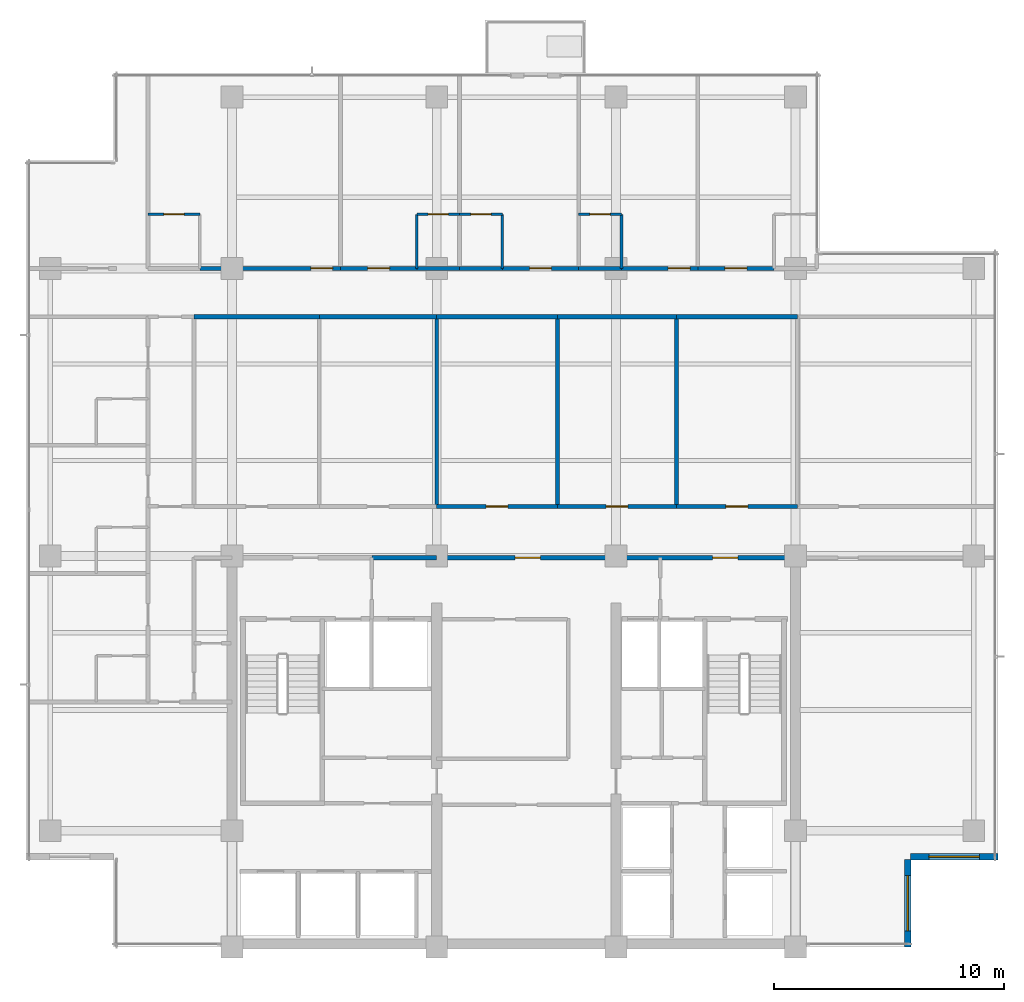
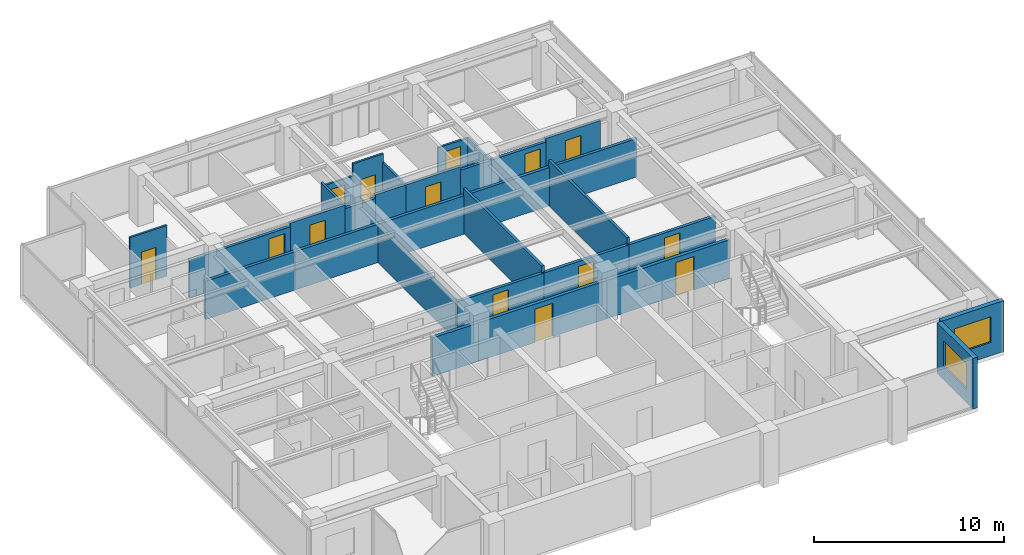
# One storey, part 9 of 15: 31 walls, 14 doors, 2 windows, 16 openings.
"""IFC4 building model written with IfcOpenShell, lengths in metres."""

from ifc_helpers import new_model, si_unit, direction, frame, frame_2d, origin, place, context, subcontext, project, spatial, rectangle, extrude, material, layer, layer_set, type_object, element, fill, save


model = new_model("IFC4")

# Units and contexts
model_context = context("Model", 3, precision=1e-05, world=origin(), true_north=direction((0.0, 1.0)))
body_context = subcontext(model_context, "Body", "Model", "MODEL_VIEW")
ifc_project = project(units=[si_unit("LENGTHUNIT", "METRE"), si_unit("AREAUNIT", "SQUARE_METRE"), si_unit("VOLUMEUNIT", "CUBIC_METRE"), si_unit("PLANEANGLEUNIT", "RADIAN"), si_unit("MASSUNIT", "GRAM", prefix="KILO")], contexts=[model_context])

# Site, building, storey
site_placement = place(None, origin())
site = spatial("IfcSite", under=ifc_project, at=site_placement, CompositionType="ELEMENT")
building_placement = place(site_placement, origin())
building = spatial("IfcBuilding", under=site, at=building_placement, Name="Qalmaran Belvedere Hotel", CompositionType="ELEMENT")
storey_placement = place(building_placement, frame((0.0, 0.0, 203.89990234375)))
storey = spatial("IfcBuildingStorey", under=building, at=storey_placement, Name="L51", CompositionType="ELEMENT", Elevation=203.89990234375)

# Wall, opening, window
ifc_material_1 = material(Name="Anodised Bronze Cladding")
ifc_layer_1 = layer(ifc_material_1, 0.280029296875, Name="Anodised Bronze Cladding")
ifc_layer_set_1 = layer_set([ifc_layer_1], Name="Anodised Bronze Cladding")
wall_type_1 = type_object("IfcWallType", Name="WL-EXT-BRNZ-280", PredefinedType="SOLIDWALL", material=ifc_layer_set_1)
wall_1_placement = place(storey_placement, frame((49.679931640625, 3.5, 0.0), z_axis=(0.0, 0.0, 1.0), x_axis=(0.0, 1.0, 0.0)))
wall_1 = element("IfcWall", 1, at=wall_1_placement, inside=storey, type_object=wall_type_1, Name="L51 Corner Notch Wall 1", PredefinedType="SOLIDWALL", context=body_context, shape_type="SweptSolid", body=[
    extrude(rectangle(XDim=3.800048828125, YDim=0.280029296875, at=frame_2d((1.89990234375, 0.0))), origin(), (0.0, 0.0, 1.0), 3.260009765625),
])
opening_1_placement = place(wall_1_placement, frame((0.699951171875, 0.0, 0.85009765625)))
opening_1 = element("IfcOpeningElement", 2, at=opening_1_placement, cuts=wall_1, Name="Opening W-N24", PredefinedType="OPENING", context=body_context, shape_type="SweptSolid", body=[
    extrude(rectangle(XDim=2.39990234375, YDim=1.64990234375, at=frame_2d((1.199951171875, 0.824951171875))), frame((0.0, 0.14990234375, 0.0), z_axis=(0.0, -1.0, 0.0), x_axis=(1.0, 0.0, 0.0)), (0.0, 0.0, 1.0), 0.300048828125),
])
ifc_material_2 = material(Name="Solar-Control Double Glazing", Category="glass")
window_type_1 = type_object("IfcWindowType", Name="WN-NTC-2400X1650", PartitioningType="SINGLE_PANEL", PredefinedType="WINDOW", material=ifc_material_2)
window_1_placement = place(opening_1_placement, origin())
window_1 = element("IfcWindow", 3, at=window_1_placement, inside=storey, type_object=window_type_1, Name="L51 Corner Notch Window 1", OverallHeight=1.64990234375, OverallWidth=2.39990234375, PartitioningType="SINGLE_PANEL", PredefinedType="WINDOW", context=body_context, shape_type="SweptSolid", body=[
    extrude(rectangle(XDim=2.39990234375, YDim=1.64990234375, at=frame_2d((1.199951171875, 0.824951171875))), frame((0.0, 0.030029296875, 0.0), z_axis=(0.0, -1.0, 0.0), x_axis=(1.0, 0.0, 0.0)), (0.0, 0.0, 1.0), 0.06005859375),
])
fill(opening_1, window_1)

wall_2_placement = place(storey_placement, frame((49.800048828125, 7.419921875, 0.0), z_axis=(0.0, 0.0, 1.0), x_axis=(1.0, 0.0, 0.0)))
wall_2 = element("IfcWall", 4, at=wall_2_placement, inside=storey, type_object=wall_type_1, Name="L51 Corner Notch Wall 2", PredefinedType="SOLIDWALL", context=body_context, shape_type="SweptSolid", body=[
    extrude(rectangle(XDim=3.800048828125, YDim=0.280029296875, at=frame_2d((1.89990234375, 0.0))), origin(), (0.0, 0.0, 1.0), 3.260009765625),
])
opening_2_placement = place(wall_2_placement, frame((0.800048828125, 0.0, 0.85009765625)))
opening_2 = element("IfcOpeningElement", 5, at=opening_2_placement, cuts=wall_2, Name="Opening W-N22", PredefinedType="OPENING", context=body_context, shape_type="SweptSolid", body=[
    extrude(rectangle(XDim=2.199951171875, YDim=1.64990234375, at=frame_2d((1.10009765625, 0.824951171875))), frame((0.0, 0.14990234375, 0.0), z_axis=(0.0, -1.0, 0.0), x_axis=(1.0, 0.0, 0.0)), (0.0, 0.0, 1.0), 0.300048828125),
])
window_type_2 = type_object("IfcWindowType", Name="WN-NTC-2200X1650", PartitioningType="SINGLE_PANEL", PredefinedType="WINDOW", material=ifc_material_2)
window_2_placement = place(opening_2_placement, origin())
window_2 = element("IfcWindow", 6, at=window_2_placement, inside=storey, type_object=window_type_2, Name="L51 Corner Notch Window 2", OverallHeight=1.64990234375, OverallWidth=2.199951171875, PartitioningType="SINGLE_PANEL", PredefinedType="WINDOW", context=body_context, shape_type="SweptSolid", body=[
    extrude(rectangle(XDim=2.199951171875, YDim=1.64990234375, at=frame_2d((1.10009765625, 0.824951171875))), frame((0.0, 0.030029296875, 0.0), z_axis=(0.0, -1.0, 0.0), x_axis=(1.0, 0.0, 0.0)), (0.0, 0.0, 1.0), 0.06005859375),
])
fill(opening_2, window_2)

# Wall, opening, door
ifc_material_3 = material(Name="Moisture-Resistant Gypsum")
ifc_layer_2 = layer(ifc_material_3, 0.1201171875, Name="Moisture-Resistant Gypsum")
ifc_layer_set_2 = layer_set([ifc_layer_2], Name="Moisture-Resistant Gypsum")
wall_type_2 = type_object("IfcWallType", Name="WL-INT-120-BATH", PredefinedType="PARTITIONING", material=ifc_layer_set_2)
wall_3_placement = place(storey_placement, frame((16.64990234375, 35.35009765625, 0.0), z_axis=(0.0, 0.0, 1.0), x_axis=(1.0, 0.0, 0.0)))
wall_3 = element("IfcWall", 7, at=wall_3_placement, inside=storey, type_object=wall_type_2, Name="L51 Partition WL-L51-NBN00", PredefinedType="PARTITIONING", context=body_context, shape_type="SweptSolid", body=[
    extrude(rectangle(XDim=2.25, YDim=0.1201171875, at=frame_2d((1.125, 0.0))), origin(), (0.0, 0.0, 1.0), 3.260009765625),
])
opening_3_placement = place(wall_3_placement, frame((1.56494140625, 0.0, 0.0), z_axis=(0.0, 0.0, 1.0), x_axis=(-1.0, 0.0, 0.0)))
opening_3 = element("IfcOpeningElement", 8, at=opening_3_placement, cuts=wall_3, Name="Opening D-BATH", PredefinedType="OPENING", context=body_context, shape_type="SweptSolid", body=[
    extrude(rectangle(XDim=0.8798828125, YDim=2.080078125, at=frame_2d((0.43994140625, 1.0400390625))), frame((0.0, 0.070068359375, 0.0), z_axis=(0.0, -1.0, 0.0), x_axis=(1.0, 0.0, 0.0)), (0.0, 0.0, 1.0), 0.14013671875),
])
ifc_material_4 = material(Name="Engineered Oak Veneer")
door_type_1 = type_object("IfcDoorType", Name="DR-INT-BATH-880X2080", OperationType="NOTDEFINED", PredefinedType="DOOR", material=ifc_material_4)
door_1_placement = place(opening_3_placement, origin())
door_1 = element("IfcDoor", 9, at=door_1_placement, inside=storey, type_object=door_type_1, Name="L51 Ensuite Bathroom Door N01", OperationType="SINGLE_SWING_RIGHT", OverallHeight=2.080078125, OverallWidth=0.8798828125, PredefinedType="DOOR", context=body_context, shape_type="SweptSolid", body=[
    extrude(rectangle(XDim=0.8798828125, YDim=2.080078125, at=frame_2d((0.43994140625, 1.0400390625))), frame((0.0, 0.02490234375, 0.0), z_axis=(0.0, -1.0, 0.0), x_axis=(1.0, 0.0, 0.0)), (0.0, 0.0, 1.0), 0.050048828125),
])
fill(opening_3, door_1)

wall_4_placement = place(storey_placement, frame((28.33544921875, 35.35009765625, 0.0), z_axis=(0.0, 0.0, 1.0), x_axis=(1.0, 0.0, 0.0)))
wall_4 = element("IfcWall", 10, at=wall_4_placement, inside=storey, type_object=wall_type_2, Name="L51 Partition WL-L51-NBN01", PredefinedType="PARTITIONING", context=body_context, shape_type="SweptSolid", body=[
    extrude(rectangle(XDim=1.85986328125, YDim=0.1201171875, at=frame_2d((0.929931640625, 0.0))), origin(), (0.0, 0.0, 1.0), 2.47216796875),
])
opening_4_placement = place(wall_4_placement, frame((1.369873046875, 0.0, 0.0), z_axis=(0.0, 0.0, 1.0), x_axis=(-1.0, 0.0, 0.0)))
opening_4 = element("IfcOpeningElement", 11, at=opening_4_placement, cuts=wall_4, Name="Opening D-BATH", PredefinedType="OPENING", context=body_context, shape_type="SweptSolid", body=[
    extrude(rectangle(XDim=0.8798828125, YDim=2.080078125, at=frame_2d((0.43994140625, 1.0400390625))), frame((0.0, 0.070068359375, 0.0), z_axis=(0.0, -1.0, 0.0), x_axis=(1.0, 0.0, 0.0)), (0.0, 0.0, 1.0), 0.14013671875),
])
door_2_placement = place(opening_4_placement, origin())
door_2 = element("IfcDoor", 12, at=door_2_placement, inside=storey, type_object=door_type_1, Name="L51 Ensuite Bathroom Door N02", OperationType="SINGLE_SWING_RIGHT", OverallHeight=2.080078125, OverallWidth=0.8798828125, PredefinedType="DOOR", context=body_context, shape_type="SweptSolid", body=[
    extrude(rectangle(XDim=0.8798828125, YDim=2.080078125, at=frame_2d((0.43994140625, 1.0400390625))), frame((0.0, 0.02490234375, 0.0), z_axis=(0.0, -1.0, 0.0), x_axis=(1.0, 0.0, 0.0)), (0.0, 0.0, 1.0), 0.050048828125),
])
fill(opening_4, door_2)

# Wall
wall_5_placement = place(storey_placement, frame((28.33544921875, 33.0, 0.0), z_axis=(0.0, 0.0, 1.0), x_axis=(0.0, 1.0, 0.0)))
element("IfcWall", 13, at=wall_5_placement, inside=storey, type_object=wall_type_2, Name="L51 Partition WL-L51-NBS01", PredefinedType="PARTITIONING", context=body_context, shape_type="SweptSolid", body=[
    extrude(rectangle(XDim=2.35009765625, YDim=0.1201171875, at=frame_2d((1.175048828125, 0.0))), origin(), (0.0, 0.0, 1.0), 2.7060546875),
])

# Wall, opening, door
wall_6_placement = place(storey_placement, frame((30.1953125, 35.35009765625, 0.0), z_axis=(0.0, 0.0, 1.0), x_axis=(1.0, 0.0, 0.0)))
wall_6 = element("IfcWall", 14, at=wall_6_placement, inside=storey, type_object=wall_type_2, Name="L51 Partition WL-L51-NBN02", PredefinedType="PARTITIONING", context=body_context, shape_type="SweptSolid", body=[
    extrude(rectangle(XDim=1.860107421875, YDim=0.1201171875, at=frame_2d((0.93017578125, 0.0))), origin(), (0.0, 0.0, 1.0), 3.260009765625),
])
opening_5_placement = place(wall_6_placement, frame((1.369873046875, 0.0, 0.0), z_axis=(0.0, 0.0, 1.0), x_axis=(-1.0, 0.0, 0.0)))
opening_5 = element("IfcOpeningElement", 15, at=opening_5_placement, cuts=wall_6, Name="Opening D-BATH", PredefinedType="OPENING", context=body_context, shape_type="SweptSolid", body=[
    extrude(rectangle(XDim=0.8798828125, YDim=2.080078125, at=frame_2d((0.43994140625, 1.0400390625))), frame((0.0, 0.070068359375, 0.0), z_axis=(0.0, -1.0, 0.0), x_axis=(1.0, 0.0, 0.0)), (0.0, 0.0, 1.0), 0.14013671875),
])
door_3_placement = place(opening_5_placement, origin())
door_3 = element("IfcDoor", 16, at=door_3_placement, inside=storey, type_object=door_type_1, Name="L51 Ensuite Bathroom Door N03", OperationType="SINGLE_SWING_RIGHT", OverallHeight=2.080078125, OverallWidth=0.8798828125, PredefinedType="DOOR", context=body_context, shape_type="SweptSolid", body=[
    extrude(rectangle(XDim=0.8798828125, YDim=2.080078125, at=frame_2d((0.43994140625, 1.0400390625))), frame((0.0, 0.02490234375, 0.0), z_axis=(0.0, -1.0, 0.0), x_axis=(1.0, 0.0, 0.0)), (0.0, 0.0, 1.0), 0.050048828125),
])
fill(opening_5, door_3)

# Wall
wall_7_placement = place(storey_placement, frame((32.055419921875, 33.0, 0.0), z_axis=(0.0, 0.0, 1.0), x_axis=(0.0, 1.0, 0.0)))
element("IfcWall", 17, at=wall_7_placement, inside=storey, type_object=wall_type_2, Name="L51 Partition WL-L51-NBS02", PredefinedType="PARTITIONING", context=body_context, shape_type="SweptSolid", body=[
    extrude(rectangle(XDim=2.35009765625, YDim=0.1201171875, at=frame_2d((1.175048828125, 0.0))), origin(), (0.0, 0.0, 1.0), 2.7060546875),
])

# Wall, opening, door
wall_8_placement = place(storey_placement, frame((35.37353515625, 35.35009765625, 0.0), z_axis=(0.0, 0.0, 1.0), x_axis=(1.0, 0.0, 0.0)))
wall_8 = element("IfcWall", 18, at=wall_8_placement, inside=storey, type_object=wall_type_2, Name="L51 Partition WL-L51-NBN03", PredefinedType="PARTITIONING", context=body_context, shape_type="SweptSolid", body=[
    extrude(rectangle(XDim=1.860107421875, YDim=0.1201171875, at=frame_2d((0.93017578125, 0.0))), origin(), (0.0, 0.0, 1.0), 2.47216796875),
])
opening_6_placement = place(wall_8_placement, frame((1.369873046875, 0.0, 0.0), z_axis=(0.0, 0.0, 1.0), x_axis=(-1.0, 0.0, 0.0)))
opening_6 = element("IfcOpeningElement", 19, at=opening_6_placement, cuts=wall_8, Name="Opening D-BATH", PredefinedType="OPENING", context=body_context, shape_type="SweptSolid", body=[
    extrude(rectangle(XDim=0.8798828125, YDim=2.080078125, at=frame_2d((0.43994140625, 1.0400390625))), frame((0.0, 0.070068359375, 0.0), z_axis=(0.0, -1.0, 0.0), x_axis=(1.0, 0.0, 0.0)), (0.0, 0.0, 1.0), 0.14013671875),
])
door_4_placement = place(opening_6_placement, origin())
door_4 = element("IfcDoor", 20, at=door_4_placement, inside=storey, type_object=door_type_1, Name="L51 Ensuite Bathroom Door N04", OperationType="SINGLE_SWING_RIGHT", OverallHeight=2.080078125, OverallWidth=0.8798828125, PredefinedType="DOOR", context=body_context, shape_type="SweptSolid", body=[
    extrude(rectangle(XDim=0.8798828125, YDim=2.080078125, at=frame_2d((0.43994140625, 1.0400390625))), frame((0.0, 0.02490234375, 0.0), z_axis=(0.0, -1.0, 0.0), x_axis=(1.0, 0.0, 0.0)), (0.0, 0.0, 1.0), 0.050048828125),
])
fill(opening_6, door_4)

# Walls
wall_9_placement = place(storey_placement, frame((37.233642578125, 33.0, 0.0), z_axis=(0.0, 0.0, 1.0), x_axis=(0.0, 1.0, 0.0)))
element("IfcWall", 21, at=wall_9_placement, inside=storey, type_object=wall_type_2, Name="L51 Partition WL-L51-NBS03", PredefinedType="PARTITIONING", context=body_context, shape_type="SweptSolid", body=[
    extrude(rectangle(XDim=2.35009765625, YDim=0.1201171875, at=frame_2d((1.175048828125, 0.0))), origin(), (0.0, 0.0, 1.0), 2.47216796875),
])
ifc_material_5 = material(Name="Gypsum Stud Partition")
ifc_layer_3 = layer(ifc_material_5, 0.159912109375, Name="Gypsum Stud Partition")
ifc_layer_set_3 = layer_set([ifc_layer_3], Name="Gypsum Stud Partition")
wall_type_3 = type_object("IfcWallType", Name="WL-INT-160-EI60", PredefinedType="PARTITIONING", material=ifc_layer_set_3)
wall_10_placement = place(storey_placement, frame((29.199951171875, 22.64990234375, 0.0), z_axis=(0.0, 0.0, 1.0), x_axis=(0.0, 1.0, 0.0)))
element("IfcWall", 22, at=wall_10_placement, inside=storey, type_object=wall_type_3, Name="L51 Partition WL-L51-MIDVR2", PredefinedType="PARTITIONING", context=body_context, shape_type="SweptSolid", body=[
    extrude(rectangle(XDim=8.25, YDim=0.159912109375, at=frame_2d((4.125, 0.0))), origin(), (0.0, 0.0, 1.0), 2.47216796875),
])
for number, where, z_axis, x_axis, name in (
    (23, (34.449951171875, 22.64990234375, 0.0), (0.0, 0.0, 1.0), (0.0, 1.0, 0.0), "L51 Partition WL-L51-MIDVR3"),
    (24, (39.625, 22.64990234375, 0.0), (0.0, 0.0, 1.0), (0.0, 1.0, 0.0), "L51 Partition WL-L51-MIDVR4"),
):
    element("IfcWall", number, at=place(storey_placement, frame(where, z_axis=z_axis, x_axis=x_axis)), inside=storey, type_object=wall_type_3, Name=name, PredefinedType="PARTITIONING", context=body_context, shape_type="SweptSolid", body=[
        extrude(rectangle(XDim=8.25, YDim=0.159912109375, at=frame_2d((4.125, 0.0))), origin(), (0.0, 0.0, 1.0), 2.88720703125),
    ])
ifc_layer_4 = layer(ifc_material_5, 0.179931640625, Name="Gypsum Stud Partition")
ifc_layer_set_4 = layer_set([ifc_layer_4], Name="Gypsum Stud Partition")
wall_type_4 = type_object("IfcWallType", Name="WL-INT-180-EI60", PredefinedType="PARTITIONING", material=ifc_layer_set_4)
wall_11_placement = place(storey_placement, frame((18.64990234375, 30.89990234375, 0.0), z_axis=(0.0, 0.0, 1.0), x_axis=(1.0, 0.0, 0.0)))
element("IfcWall", 25, at=wall_11_placement, inside=storey, type_object=wall_type_4, Name="L51 Partition WL-L51-MIDO1", PredefinedType="PARTITIONING", context=body_context, shape_type="SweptSolid", body=[
    extrude(rectangle(XDim=5.4501953125, YDim=0.179931640625, at=frame_2d((2.72509765625, 0.0))), origin(), (0.0, 0.0, 1.0), 2.47216796875),
])
wall_12_placement = place(storey_placement, frame((24.10009765625, 30.89990234375, 0.0), z_axis=(0.0, 0.0, 1.0), x_axis=(1.0, 0.0, 0.0)))
element("IfcWall", 26, at=wall_12_placement, inside=storey, type_object=wall_type_4, Name="L51 Partition WL-L51-MIDO2", PredefinedType="PARTITIONING", context=body_context, shape_type="SweptSolid", body=[
    extrude(rectangle(XDim=5.099853515625, YDim=0.179931640625, at=frame_2d((2.5498046875, 0.0))), origin(), (0.0, 0.0, 1.0), 2.47216796875),
])

# Wall, opening, door
wall_13_placement = place(storey_placement, frame((29.199951171875, 22.64990234375, 0.0), z_axis=(0.0, 0.0, 1.0), x_axis=(1.0, 0.0, 0.0)))
wall_13 = element("IfcWall", 27, at=wall_13_placement, inside=storey, type_object=wall_type_4, Name="L51 Partition WL-L51-MIDD3", PredefinedType="PARTITIONING", context=body_context, shape_type="SweptSolid", body=[
    extrude(rectangle(XDim=5.25, YDim=0.179931640625, at=frame_2d((2.625, 0.0))), origin(), (0.0, 0.0, 1.0), 2.47216796875),
])
opening_7_placement = place(wall_13_placement, frame((2.14990234375, 0.0, 0.0)))
opening_7 = element("IfcOpeningElement", 28, at=opening_7_placement, cuts=wall_13, Name="Opening FD60", PredefinedType="OPENING", context=body_context, shape_type="SweptSolid", body=[
    extrude(rectangle(XDim=0.949951171875, YDim=2.14990234375, at=frame_2d((0.47509765625, 1.074951171875))), frame((0.0, 0.10009765625, 0.0), z_axis=(0.0, -1.0, 0.0), x_axis=(1.0, 0.0, 0.0)), (0.0, 0.0, 1.0), 0.199951171875),
])
door_type_2 = type_object("IfcDoorType", Name="DR-FD60-950X2150", OperationType="NOTDEFINED", PredefinedType="DOOR", material=ifc_material_4)
door_5_placement = place(opening_7_placement, origin())
door_5 = element("IfcDoor", 29, at=door_5_placement, inside=storey, type_object=door_type_2, Name="L51 Tea Pantry Door", OperationType="SINGLE_SWING_LEFT", OverallHeight=2.14990234375, OverallWidth=0.949951171875, PredefinedType="DOOR", context=body_context, shape_type="SweptSolid", body=[
    extrude(rectangle(XDim=0.949951171875, YDim=2.14990234375, at=frame_2d((0.47509765625, 1.074951171875))), frame((0.0, 0.02490234375, 0.0), z_axis=(0.0, -1.0, 0.0), x_axis=(1.0, 0.0, 0.0)), (0.0, 0.0, 1.0), 0.050048828125),
])
fill(opening_7, door_5)

# Wall
wall_14_placement = place(storey_placement, frame((29.199951171875, 30.89990234375, 0.0), z_axis=(0.0, 0.0, 1.0), x_axis=(1.0, 0.0, 0.0)))
element("IfcWall", 30, at=wall_14_placement, inside=storey, type_object=wall_type_4, Name="L51 Partition WL-L51-MIDO3", PredefinedType="PARTITIONING", context=body_context, shape_type="SweptSolid", body=[
    extrude(rectangle(XDim=5.25, YDim=0.179931640625, at=frame_2d((2.625, 0.0))), origin(), (0.0, 0.0, 1.0), 2.47216796875),
])

# Wall, opening, door
wall_15_placement = place(storey_placement, frame((34.449951171875, 22.64990234375, 0.0), z_axis=(0.0, 0.0, 1.0), x_axis=(1.0, 0.0, 0.0)))
wall_15 = element("IfcWall", 31, at=wall_15_placement, inside=storey, type_object=wall_type_4, Name="L51 Partition WL-L51-MIDD4", PredefinedType="PARTITIONING", context=body_context, shape_type="SweptSolid", body=[
    extrude(rectangle(XDim=5.175048828125, YDim=0.179931640625, at=frame_2d((2.58740234375, 0.0))), origin(), (0.0, 0.0, 1.0), 2.47216796875),
])
opening_8_placement = place(wall_15_placement, frame((2.112548828125, 0.0, 0.0)))
opening_8 = element("IfcOpeningElement", 32, at=opening_8_placement, cuts=wall_15, Name="Opening FD60", PredefinedType="OPENING", context=body_context, shape_type="SweptSolid", body=[
    extrude(rectangle(XDim=0.949951171875, YDim=2.14990234375, at=frame_2d((0.47509765625, 1.074951171875))), frame((0.0, 0.10009765625, 0.0), z_axis=(0.0, -1.0, 0.0), x_axis=(1.0, 0.0, 0.0)), (0.0, 0.0, 1.0), 0.199951171875),
])
door_6_placement = place(opening_8_placement, origin())
door_6 = element("IfcDoor", 33, at=door_6_placement, inside=storey, type_object=door_type_2, Name="L51 Pastry Pantry Door", OperationType="SINGLE_SWING_RIGHT", OverallHeight=2.14990234375, OverallWidth=0.949951171875, PredefinedType="DOOR", context=body_context, shape_type="SweptSolid", body=[
    extrude(rectangle(XDim=0.949951171875, YDim=2.14990234375, at=frame_2d((0.47509765625, 1.074951171875))), frame((0.0, 0.02490234375, 0.0), z_axis=(0.0, -1.0, 0.0), x_axis=(1.0, 0.0, 0.0)), (0.0, 0.0, 1.0), 0.050048828125),
])
fill(opening_8, door_6)

# Wall
wall_16_placement = place(storey_placement, frame((34.449951171875, 30.89990234375, 0.0), z_axis=(0.0, 0.0, 1.0), x_axis=(1.0, 0.0, 0.0)))
element("IfcWall", 34, at=wall_16_placement, inside=storey, type_object=wall_type_4, Name="L51 Partition WL-L51-MIDO4", PredefinedType="PARTITIONING", context=body_context, shape_type="SweptSolid", body=[
    extrude(rectangle(XDim=5.175048828125, YDim=0.179931640625, at=frame_2d((2.58740234375, 0.0))), origin(), (0.0, 0.0, 1.0), 2.47216796875),
])

# Wall, opening, door
wall_17_placement = place(storey_placement, frame((39.625, 22.64990234375, 0.0), z_axis=(0.0, 0.0, 1.0), x_axis=(1.0, 0.0, 0.0)))
wall_17 = element("IfcWall", 35, at=wall_17_placement, inside=storey, type_object=wall_type_4, Name="L51 Partition WL-L51-MIDD5", PredefinedType="PARTITIONING", context=body_context, shape_type="SweptSolid", body=[
    extrude(rectangle(XDim=5.2548828125, YDim=0.179931640625, at=frame_2d((2.62744140625, 0.0))), origin(), (0.0, 0.0, 1.0), 2.47216796875),
])
opening_9_placement = place(wall_17_placement, frame((2.152587890625, 0.0, 0.0)))
opening_9 = element("IfcOpeningElement", 36, at=opening_9_placement, cuts=wall_17, Name="Opening FD60", PredefinedType="OPENING", context=body_context, shape_type="SweptSolid", body=[
    extrude(rectangle(XDim=0.949951171875, YDim=2.14990234375, at=frame_2d((0.47509765625, 1.074951171875))), frame((0.0, 0.10009765625, 0.0), z_axis=(0.0, -1.0, 0.0), x_axis=(1.0, 0.0, 0.0)), (0.0, 0.0, 1.0), 0.199951171875),
])
door_7_placement = place(opening_9_placement, origin())
door_7 = element("IfcDoor", 37, at=door_7_placement, inside=storey, type_object=door_type_2, Name="L51 Sommelier Pantry Door", OperationType="SINGLE_SWING_LEFT", OverallHeight=2.14990234375, OverallWidth=0.949951171875, PredefinedType="DOOR", context=body_context, shape_type="SweptSolid", body=[
    extrude(rectangle(XDim=0.949951171875, YDim=2.14990234375, at=frame_2d((0.47509765625, 1.074951171875))), frame((0.0, 0.02490234375, 0.0), z_axis=(0.0, -1.0, 0.0), x_axis=(1.0, 0.0, 0.0)), (0.0, 0.0, 1.0), 0.050048828125),
])
fill(opening_9, door_7)

# Wall
wall_18_placement = place(storey_placement, frame((39.625, 30.89990234375, 0.0), z_axis=(0.0, 0.0, 1.0), x_axis=(1.0, 0.0, 0.0)))
element("IfcWall", 38, at=wall_18_placement, inside=storey, type_object=wall_type_4, Name="L51 Partition WL-L51-MIDO5", PredefinedType="PARTITIONING", context=body_context, shape_type="SweptSolid", body=[
    extrude(rectangle(XDim=5.2548828125, YDim=0.179931640625, at=frame_2d((2.62744140625, 0.0))), origin(), (0.0, 0.0, 1.0), 2.47216796875),
])

# Wall, opening, door
wall_19_placement = place(storey_placement, frame((18.89990234375, 33.0, 0.0), z_axis=(0.0, 0.0, 1.0), x_axis=(1.0, 0.0, 0.0)))
wall_19 = element("IfcWall", 39, at=wall_19_placement, inside=storey, type_object=wall_type_4, Name="L51 Partition WL-L51-NEC00", PredefinedType="PARTITIONING", context=body_context, shape_type="SweptSolid", body=[
    extrude(rectangle(XDim=6.1171875, YDim=0.179931640625, at=frame_2d((3.05859375, 0.0))), origin(), (0.0, 0.0, 1.0), 2.47216796875),
])
opening_10_placement = place(wall_19_placement, frame((4.8291015625, 0.0, 0.0)))
opening_10 = element("IfcOpeningElement", 40, at=opening_10_placement, cuts=wall_19, Name="Opening FD60", PredefinedType="OPENING", context=body_context, shape_type="SweptSolid", body=[
    extrude(rectangle(XDim=0.949951171875, YDim=2.14990234375, at=frame_2d((0.47509765625, 1.074951171875))), frame((0.0, 0.10009765625, 0.0), z_axis=(0.0, -1.0, 0.0), x_axis=(1.0, 0.0, 0.0)), (0.0, 0.0, 1.0), 0.199951171875),
])
door_8_placement = place(opening_10_placement, origin())
door_8 = element("IfcDoor", 41, at=door_8_placement, inside=storey, type_object=door_type_2, Name="L51 Guest Entrance Door N01", OperationType="SINGLE_SWING_LEFT", OverallHeight=2.14990234375, OverallWidth=0.949951171875, PredefinedType="DOOR", context=body_context, shape_type="SweptSolid", body=[
    extrude(rectangle(XDim=0.949951171875, YDim=2.14990234375, at=frame_2d((0.47509765625, 1.074951171875))), frame((0.0, 0.02490234375, 0.0), z_axis=(0.0, -1.0, 0.0), x_axis=(1.0, 0.0, 0.0)), (0.0, 0.0, 1.0), 0.050048828125),
])
fill(opening_10, door_8)

# Wall
wall_20_placement = place(storey_placement, frame((28.33544921875, 33.0, 0.0), z_axis=(0.0, 0.0, 1.0), x_axis=(1.0, 0.0, 0.0)))
element("IfcWall", 42, at=wall_20_placement, inside=storey, type_object=wall_type_4, Name="L51 Partition WL-L51-NBC01", PredefinedType="PARTITIONING", context=body_context, shape_type="SweptSolid", body=[
    extrude(rectangle(XDim=1.85986328125, YDim=0.179931640625, at=frame_2d((0.929931640625, 0.0))), origin(), (0.0, 0.0, 1.0), 2.47216796875),
])

# Wall, opening, door
wall_21_placement = place(storey_placement, frame((25.01708984375, 33.0, 0.0), z_axis=(0.0, 0.0, 1.0), x_axis=(1.0, 0.0, 0.0)))
wall_21 = element("IfcWall", 43, at=wall_21_placement, inside=storey, type_object=wall_type_4, Name="L51 Partition WL-L51-NEC01", PredefinedType="PARTITIONING", context=body_context, shape_type="SweptSolid", body=[
    extrude(rectangle(XDim=3.318359375, YDim=0.179931640625, at=frame_2d((1.6591796875, 0.0))), origin(), (0.0, 0.0, 1.0), 2.7060546875),
])
opening_11_placement = place(wall_21_placement, frame((1.18408203125, 0.0, 0.0)))
opening_11 = element("IfcOpeningElement", 44, at=opening_11_placement, cuts=wall_21, Name="Opening FD60", PredefinedType="OPENING", context=body_context, shape_type="SweptSolid", body=[
    extrude(rectangle(XDim=0.949951171875, YDim=2.14990234375, at=frame_2d((0.47509765625, 1.074951171875))), frame((0.0, 0.10009765625, 0.0), z_axis=(0.0, -1.0, 0.0), x_axis=(1.0, 0.0, 0.0)), (0.0, 0.0, 1.0), 0.199951171875),
])
door_9_placement = place(opening_11_placement, origin())
door_9 = element("IfcDoor", 45, at=door_9_placement, inside=storey, type_object=door_type_2, Name="L51 Guest Entrance Door N02", OperationType="SINGLE_SWING_LEFT", OverallHeight=2.14990234375, OverallWidth=0.949951171875, PredefinedType="DOOR", context=body_context, shape_type="SweptSolid", body=[
    extrude(rectangle(XDim=0.949951171875, YDim=2.14990234375, at=frame_2d((0.47509765625, 1.074951171875))), frame((0.0, 0.02490234375, 0.0), z_axis=(0.0, -1.0, 0.0), x_axis=(1.0, 0.0, 0.0)), (0.0, 0.0, 1.0), 0.050048828125),
])
fill(opening_11, door_9)

# Wall
wall_22_placement = place(storey_placement, frame((30.1953125, 33.0, 0.0), z_axis=(0.0, 0.0, 1.0), x_axis=(1.0, 0.0, 0.0)))
element("IfcWall", 46, at=wall_22_placement, inside=storey, type_object=wall_type_4, Name="L51 Partition WL-L51-NBC02", PredefinedType="PARTITIONING", context=body_context, shape_type="SweptSolid", body=[
    extrude(rectangle(XDim=1.860107421875, YDim=0.179931640625, at=frame_2d((0.93017578125, 0.0))), origin(), (0.0, 0.0, 1.0), 2.7060546875),
])

# Wall, opening, door
wall_23_placement = place(storey_placement, frame((32.055419921875, 33.0, 0.0), z_axis=(0.0, 0.0, 1.0), x_axis=(1.0, 0.0, 0.0)))
wall_23 = element("IfcWall", 47, at=wall_23_placement, inside=storey, type_object=wall_type_4, Name="L51 Partition WL-L51-NEC02", PredefinedType="PARTITIONING", context=body_context, shape_type="SweptSolid", body=[
    extrude(rectangle(XDim=3.318115234375, YDim=0.179931640625, at=frame_2d((1.6591796875, 0.0))), origin(), (0.0, 0.0, 1.0), 2.7060546875),
])
opening_12_placement = place(wall_23_placement, frame((1.18408203125, 0.0, 0.0)))
opening_12 = element("IfcOpeningElement", 48, at=opening_12_placement, cuts=wall_23, Name="Opening FD60", PredefinedType="OPENING", context=body_context, shape_type="SweptSolid", body=[
    extrude(rectangle(XDim=0.949951171875, YDim=2.14990234375, at=frame_2d((0.47509765625, 1.074951171875))), frame((0.0, 0.10009765625, 0.0), z_axis=(0.0, -1.0, 0.0), x_axis=(1.0, 0.0, 0.0)), (0.0, 0.0, 1.0), 0.199951171875),
])
door_10_placement = place(opening_12_placement, origin())
door_10 = element("IfcDoor", 49, at=door_10_placement, inside=storey, type_object=door_type_2, Name="L51 Guest Entrance Door N03", OperationType="SINGLE_SWING_LEFT", OverallHeight=2.14990234375, OverallWidth=0.949951171875, PredefinedType="DOOR", context=body_context, shape_type="SweptSolid", body=[
    extrude(rectangle(XDim=0.949951171875, YDim=2.14990234375, at=frame_2d((0.47509765625, 1.074951171875))), frame((0.0, 0.02490234375, 0.0), z_axis=(0.0, -1.0, 0.0), x_axis=(1.0, 0.0, 0.0)), (0.0, 0.0, 1.0), 0.050048828125),
])
fill(opening_12, door_10)

# Wall
wall_24_placement = place(storey_placement, frame((35.37353515625, 33.0, 0.0), z_axis=(0.0, 0.0, 1.0), x_axis=(1.0, 0.0, 0.0)))
element("IfcWall", 50, at=wall_24_placement, inside=storey, type_object=wall_type_4, Name="L51 Partition WL-L51-NBC03", PredefinedType="PARTITIONING", context=body_context, shape_type="SweptSolid", body=[
    extrude(rectangle(XDim=1.860107421875, YDim=0.179931640625, at=frame_2d((0.93017578125, 0.0))), origin(), (0.0, 0.0, 1.0), 2.47216796875),
])

# Wall, opening, door
wall_25_placement = place(storey_placement, frame((37.233642578125, 33.0, 0.0), z_axis=(0.0, 0.0, 1.0), x_axis=(1.0, 0.0, 0.0)))
wall_25 = element("IfcWall", 51, at=wall_25_placement, inside=storey, type_object=wall_type_4, Name="L51 Partition WL-L51-NEC03", PredefinedType="PARTITIONING", context=body_context, shape_type="SweptSolid", body=[
    extrude(rectangle(XDim=3.318115234375, YDim=0.179931640625, at=frame_2d((1.6591796875, 0.0))), origin(), (0.0, 0.0, 1.0), 2.47216796875),
])
opening_13_placement = place(wall_25_placement, frame((2.034912109375, 0.0, 0.0)))
opening_13 = element("IfcOpeningElement", 52, at=opening_13_placement, cuts=wall_25, Name="Opening FD60", PredefinedType="OPENING", context=body_context, shape_type="SweptSolid", body=[
    extrude(rectangle(XDim=0.949951171875, YDim=2.14990234375, at=frame_2d((0.47509765625, 1.074951171875))), frame((0.0, 0.10009765625, 0.0), z_axis=(0.0, -1.0, 0.0), x_axis=(1.0, 0.0, 0.0)), (0.0, 0.0, 1.0), 0.199951171875),
])
door_11_placement = place(opening_13_placement, origin())
door_11 = element("IfcDoor", 53, at=door_11_placement, inside=storey, type_object=door_type_2, Name="L51 Guest Entrance Door N04", OperationType="SINGLE_SWING_LEFT", OverallHeight=2.14990234375, OverallWidth=0.949951171875, PredefinedType="DOOR", context=body_context, shape_type="SweptSolid", body=[
    extrude(rectangle(XDim=0.949951171875, YDim=2.14990234375, at=frame_2d((0.47509765625, 1.074951171875))), frame((0.0, 0.02490234375, 0.0), z_axis=(0.0, -1.0, 0.0), x_axis=(1.0, 0.0, 0.0)), (0.0, 0.0, 1.0), 0.050048828125),
])
fill(opening_13, door_11)

wall_26_placement = place(storey_placement, frame((40.5517578125, 33.0, 0.0), z_axis=(0.0, 0.0, 1.0), x_axis=(1.0, 0.0, 0.0)))
wall_26 = element("IfcWall", 54, at=wall_26_placement, inside=storey, type_object=wall_type_4, Name="L51 Partition WL-L51-NEC04", PredefinedType="PARTITIONING", context=body_context, shape_type="SweptSolid", body=[
    extrude(rectangle(XDim=3.318359375, YDim=0.179931640625, at=frame_2d((1.6591796875, 0.0))), origin(), (0.0, 0.0, 1.0), 2.7060546875),
])
opening_14_placement = place(wall_26_placement, frame((1.18408203125, 0.0, 0.0)))
opening_14 = element("IfcOpeningElement", 55, at=opening_14_placement, cuts=wall_26, Name="Opening FD60", PredefinedType="OPENING", context=body_context, shape_type="SweptSolid", body=[
    extrude(rectangle(XDim=0.949951171875, YDim=2.14990234375, at=frame_2d((0.47509765625, 1.074951171875))), frame((0.0, 0.10009765625, 0.0), z_axis=(0.0, -1.0, 0.0), x_axis=(1.0, 0.0, 0.0)), (0.0, 0.0, 1.0), 0.199951171875),
])
door_12_placement = place(opening_14_placement, origin())
door_12 = element("IfcDoor", 56, at=door_12_placement, inside=storey, type_object=door_type_2, Name="L51 Guest Entrance Door N05", OperationType="SINGLE_SWING_LEFT", OverallHeight=2.14990234375, OverallWidth=0.949951171875, PredefinedType="DOOR", context=body_context, shape_type="SweptSolid", body=[
    extrude(rectangle(XDim=0.949951171875, YDim=2.14990234375, at=frame_2d((0.47509765625, 1.074951171875))), frame((0.0, 0.02490234375, 0.0), z_axis=(0.0, -1.0, 0.0), x_axis=(1.0, 0.0, 0.0)), (0.0, 0.0, 1.0), 0.050048828125),
])
fill(opening_14, door_12)

# Wall
ifc_material_6 = material(Name="Concrete C30/37 Blockwork", Category="masonry")
ifc_layer_5 = layer(ifc_material_6, 0.199951171875, Name="Concrete C30/37 Blockwork")
ifc_layer_set_5 = layer_set([ifc_layer_5], Name="Concrete C30/37 Blockwork")
wall_type_5 = type_object("IfcWallType", Name="WL-INT-200-EI120", PredefinedType="PARTITIONING", material=ifc_layer_set_5)
wall_27_placement = place(storey_placement, frame((26.3798828125, 20.419921875, 0.0), z_axis=(0.0, 0.0, 1.0), x_axis=(1.0, 0.0, 0.0)))
element("IfcWall", 57, at=wall_27_placement, inside=storey, type_object=wall_type_5, Name="L51 Partition WL-CN1B-L51", PredefinedType="PARTITIONING", context=body_context, shape_type="SweptSolid", body=[
    extrude(rectangle(XDim=2.820068359375, YDim=0.199951171875, at=frame_2d((1.41015625, 0.0))), origin(), (0.0, 0.0, 1.0), 2.47216796875),
])

# Wall, opening, door
wall_28_placement = place(storey_placement, frame((29.199951171875, 20.419921875, 0.0), z_axis=(0.0, 0.0, 1.0), x_axis=(1.0, 0.0, 0.0)))
wall_28 = element("IfcWall", 58, at=wall_28_placement, inside=storey, type_object=wall_type_5, Name="L51 Partition WL-CN2-L51", PredefinedType="PARTITIONING", context=body_context, shape_type="SweptSolid", body=[
    extrude(rectangle(XDim=7.800048828125, YDim=0.199951171875, at=frame_2d((3.89990234375, 0.0))), origin(), (0.0, 0.0, 1.0), 2.47216796875),
])
opening_15_placement = place(wall_28_placement, frame((3.4091796875, 0.0, 0.0)))
opening_15 = element("IfcOpeningElement", 59, at=opening_15_placement, cuts=wall_28, Name="Opening FD90", PredefinedType="OPENING", context=body_context, shape_type="SweptSolid", body=[
    extrude(rectangle(XDim=1.10009765625, YDim=2.14990234375, at=frame_2d((0.550048828125, 1.074951171875))), frame((0.0, 0.10986328125, 0.0), z_axis=(0.0, -1.0, 0.0), x_axis=(1.0, 0.0, 0.0)), (0.0, 0.0, 1.0), 0.219970703125),
])
ifc_material_7 = material(Name="Steel S355JR", Category="steel")
door_type_3 = type_object("IfcDoorType", Name="DR-FD90-1100X2150", OperationType="NOTDEFINED", PredefinedType="DOOR", material=ifc_material_7)
door_13_placement = place(opening_15_placement, origin())
door_13 = element("IfcDoor", 60, at=door_13_placement, inside=storey, type_object=door_type_3, Name="L51 Central Lift Lobby Door", OperationType="SINGLE_SWING_RIGHT", OverallHeight=2.14990234375, OverallWidth=1.10009765625, PredefinedType="DOOR", context=body_context, shape_type="SweptSolid", body=[
    extrude(rectangle(XDim=1.10009765625, YDim=2.14990234375, at=frame_2d((0.550048828125, 1.074951171875))), frame((0.0, 0.02490234375, 0.0), z_axis=(0.0, -1.0, 0.0), x_axis=(1.0, 0.0, 0.0)), (0.0, 0.0, 1.0), 0.050048828125),
])
fill(opening_15, door_13)

wall_29_placement = place(storey_placement, frame((37.0, 20.419921875, 0.0), z_axis=(0.0, 0.0, 1.0), x_axis=(1.0, 0.0, 0.0)))
wall_29 = element("IfcWall", 61, at=wall_29_placement, inside=storey, type_object=wall_type_5, Name="L51 Partition WL-CN3-L51", PredefinedType="PARTITIONING", context=body_context, shape_type="SweptSolid", body=[
    extrude(rectangle(XDim=7.449951171875, YDim=0.199951171875, at=frame_2d((3.72509765625, 0.0))), origin(), (0.0, 0.0, 1.0), 2.47216796875),
])
opening_16_placement = place(wall_29_placement, frame((4.199951171875, 0.0, 0.0)))
opening_16 = element("IfcOpeningElement", 62, at=opening_16_placement, cuts=wall_29, Name="Opening FD90", PredefinedType="OPENING", context=body_context, shape_type="SweptSolid", body=[
    extrude(rectangle(XDim=1.10009765625, YDim=2.14990234375, at=frame_2d((0.550048828125, 1.074951171875))), frame((0.0, 0.10986328125, 0.0), z_axis=(0.0, -1.0, 0.0), x_axis=(1.0, 0.0, 0.0)), (0.0, 0.0, 1.0), 0.219970703125),
])
door_14_placement = place(opening_16_placement, origin())
door_14 = element("IfcDoor", 63, at=door_14_placement, inside=storey, type_object=door_type_3, Name="L51 FF2 Lobby Corridor Door", OperationType="SINGLE_SWING_LEFT", OverallHeight=2.14990234375, OverallWidth=1.10009765625, PredefinedType="DOOR", context=body_context, shape_type="SweptSolid", body=[
    extrude(rectangle(XDim=1.10009765625, YDim=2.14990234375, at=frame_2d((0.550048828125, 1.074951171875))), frame((0.0, 0.02490234375, 0.0), z_axis=(0.0, -1.0, 0.0), x_axis=(1.0, 0.0, 0.0)), (0.0, 0.0, 1.0), 0.050048828125),
])
fill(opening_16, door_14)

save(model, "model.ifc")
